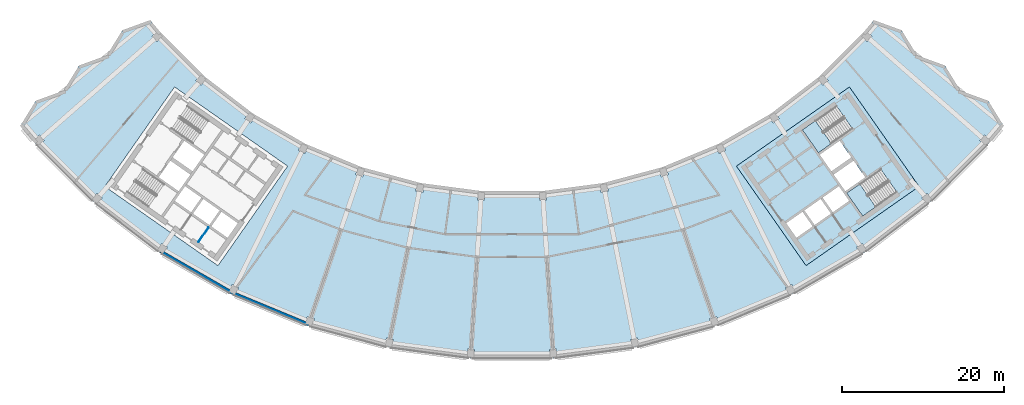
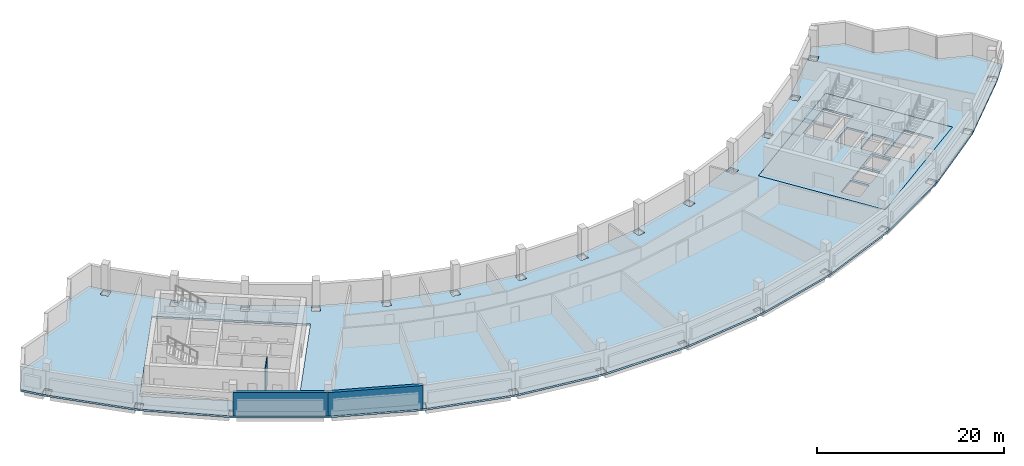
# One storey, part 2 of 12: 4 slabs, 3 walls, 2 elements without a shape of their own.
"""IFC4 building model written with IfcOpenShell, lengths in metres."""

from ifc_helpers import new_model, si_unit, direction, frame, frame_2d, origin, place, context, subcontext, project, spatial, polyline, rectangle, outline, extrude, material, layer, layer_set, type_object, element, aggregate, save


model = new_model("IFC4")

# Units and contexts
model_context = context("Model", 3, precision=1e-05, world=origin(), true_north=direction((0.0, 1.0)))
body_context = subcontext(model_context, "Body", "Model", "MODEL_VIEW")
ifc_project = project(units=[si_unit("LENGTHUNIT", "METRE"), si_unit("AREAUNIT", "SQUARE_METRE"), si_unit("VOLUMEUNIT", "CUBIC_METRE"), si_unit("PLANEANGLEUNIT", "RADIAN"), si_unit("MASSUNIT", "GRAM", prefix="KILO")], contexts=[model_context])

# Site, building, storey
site_placement = place(None, origin())
site = spatial("IfcSite", under=ifc_project, at=site_placement, CompositionType="ELEMENT")
building_placement = place(site_placement, origin())
building = spatial("IfcBuilding", under=site, at=building_placement, Name="Qamariyya Broadcast Tower", CompositionType="ELEMENT")
storey_placement = place(building_placement, frame((0.0, 0.0, 290.699951171875)))
storey = spatial("IfcBuildingStorey", under=building, at=storey_placement, Name="L70", CompositionType="ELEMENT", Elevation=290.699951171875)

# Slabs
ifc_material_1 = material(Name="Concrete C40/50", Category="concrete")
ifc_layer_1 = layer(ifc_material_1, 0.25)
ifc_layer_set_1 = layer_set([ifc_layer_1], Name="Core floor slab 250 mm Concrete C40/50")
slab_type_1 = type_object("IfcSlabType", Name="Core floor slab 250 mm Concrete C40/50", PredefinedType="FLOOR", material=ifc_layer_set_1)
slab_1_placement = place(storey_placement, frame((0.0, 0.0, -0.25)))
element("IfcSlab", 1, at=slab_1_placement, inside=storey, type_object=slab_type_1, Name="k-E-L70-slab", PredefinedType="FLOOR", context=body_context, shape_type="SweptSolid", body=[
    extrude(outline(polyline([(36.32373046875, -66.734375), (50.286376953125, -56.95751953125), (41.6826171875, -44.67041015625), (27.719970703125, -54.447021484375), (36.32373046875, -66.734375)]), holes=[polyline([(33.87353515625, -61.49169921875), (35.88037109375, -60.08642578125), (37.142333984375, -61.888427734375), (35.13525390625, -63.293701171875), (33.87353515625, -61.49169921875)]), polyline([(36.126220703125, -59.914306640625), (38.133056640625, -58.509033203125), (39.394775390625, -60.311279296875), (37.387939453125, -61.716552734375), (36.126220703125, -59.914306640625)]), polyline([(38.378662109375, -58.3369140625), (40.3857421875, -56.931640625), (41.6474609375, -58.73388671875), (39.640625, -60.13916015625), (38.378662109375, -58.3369140625)]), polyline([(39.742431640625, -55.489990234375), (42.199951171875, -53.769287109375), (43.6337890625, -55.817138671875), (41.17626953125, -57.537841796875), (39.742431640625, -55.489990234375)]), polyline([(39.45556640625, -55.080322265625), (41.9130859375, -53.359619140625), (40.47900390625, -51.311767578125), (38.021728515625, -53.032470703125), (39.45556640625, -55.080322265625)]), polyline([(40.082275390625, -47.01171875), (35.870849609375, -49.960693359375), (37.849609375, -52.78662109375), (42.06103515625, -49.837890625), (40.082275390625, -47.01171875)]), polyline([(45.559814453125, -54.834716796875), (41.348388671875, -57.783447265625), (43.3271484375, -60.609619140625), (47.538818359375, -57.66064453125), (45.559814453125, -54.834716796875)])]), origin(), (0.0, 0.0, 1.0), 0.25),
])
ifc_layer_2 = layer(ifc_material_1, 0.25)
ifc_layer_set_2 = layer_set([ifc_layer_2], Name="Post-tensioned floor slab 250 C40/50")
slab_type_2 = type_object("IfcSlabType", Name="Post-tensioned floor slab 250 C40/50", PredefinedType="FLOOR", material=ifc_layer_set_2)
slab_2_placement = place(storey_placement, frame((0.0, 0.0, -0.25)))
element("IfcSlab", 2, at=slab_2_placement, inside=storey, type_object=slab_type_2, Name="Floor slab S5 L70", PredefinedType="FLOOR", context=body_context, shape_type="SweptSolid", body=[
    extrude(outline(polyline([(-58.822509765625, -46.367431640625), (-60.746826171875, -49.482666015625), (-58.90673828125, -51.65966796875), (-51.65966796875, -58.90673828125), (-43.52880859375, -65.145751953125), (-34.6533203125, -70.27001953125), (-25.184814453125, -74.19189453125), (-15.285400390625, -76.844482421875), (-5.124267578125, -78.18212890625), (5.124267578125, -78.18212890625), (15.285400390625, -76.844482421875), (25.184814453125, -74.19189453125), (34.6533203125, -70.27001953125), (43.52880859375, -65.145751953125), (51.65966796875, -58.90673828125), (58.90673828125, -51.65966796875), (60.746826171875, -49.482666015625), (58.822509765625, -46.367431640625), (55.397216796875, -45.125), (53.471923828125, -42.009033203125), (50.04736328125, -40.76708984375), (48.12109375, -37.650634765625), (44.697509765625, -36.409423828125), (43.343505859375, -38.01123046875), (38.01123046875, -43.343505859375), (32.028564453125, -47.934326171875), (25.498046875, -51.704833984375), (18.531005859375, -54.590576171875), (11.2470703125, -56.542236328125), (3.7705078125, -57.526611328125), (-3.7705078125, -57.526611328125), (-11.2470703125, -56.542236328125), (-18.531005859375, -54.590576171875), (-25.498046875, -51.704833984375), (-32.028564453125, -47.934326171875), (-38.01123046875, -43.343505859375), (-43.343505859375, -38.01123046875), (-44.697509765625, -36.409423828125), (-48.12109375, -37.650634765625), (-50.04736328125, -40.76708984375), (-53.471923828125, -42.009033203125), (-55.397216796875, -45.125), (-58.822509765625, -46.367431640625)]), holes=[polyline([(-4.668701171875, -78.11181640625), (-5.56689453125, -78.052978515625), (-5.50146484375, -77.05517578125), (-4.603271484375, -77.114013671875), (-4.668701171875, -78.11181640625)]), polyline([(-15.707275390625, -76.65869140625), (-15.511962890625, -75.677978515625), (-14.62939453125, -75.853515625), (-14.824462890625, -76.834228515625), (-15.707275390625, -76.65869140625)]), polyline([(-25.578857421875, -73.95263671875), (-25.25732421875, -73.005615234375), (-24.405029296875, -73.294921875), (-24.7265625, -74.241943359375), (-25.578857421875, -73.95263671875)]), polyline([(-35.0126953125, -69.981201171875), (-34.5703125, -69.08447265625), (-33.76318359375, -69.482421875), (-34.20556640625, -70.37939453125), (-35.0126953125, -69.981201171875)]), polyline([(-43.847412109375, -64.8125), (-43.2919921875, -63.98095703125), (-42.543701171875, -64.48095703125), (-43.09912109375, -65.3125), (-43.847412109375, -64.8125)]), polyline([(-51.93212890625, -58.53466796875), (-51.272705078125, -57.782958984375), (-50.59619140625, -58.376220703125), (-51.25537109375, -59.128173828125), (-51.93212890625, -58.53466796875)]), polyline([(-4.29150390625, -58.5947265625), (-4.22607421875, -57.596923828125), (-3.327880859375, -57.65576171875), (-3.393310546875, -58.653564453125), (-4.29150390625, -58.5947265625)]), polyline([(-11.90283203125, -57.533447265625), (-11.707763671875, -56.552490234375), (-10.8251953125, -56.72802734375), (-11.020263671875, -57.708984375), (-11.90283203125, -57.533447265625)]), polyline([(-50.286376953125, -56.95751953125), (-41.6826171875, -44.67041015625), (-27.719970703125, -54.447021484375), (-36.32373046875, -66.734375), (-50.286376953125, -56.95751953125)]), polyline([(-19.310791015625, -55.487548828125), (-18.9892578125, -54.54052734375), (-18.136962890625, -54.829833984375), (-18.45849609375, -55.77685546875), (-19.310791015625, -55.487548828125)]), polyline([(-26.387939453125, -52.4921875), (-25.94580078125, -51.595458984375), (-25.138671875, -51.993408203125), (-25.580810546875, -52.890380859375), (-26.387939453125, -52.4921875)]), polyline([(-59.128173828125, -51.25537109375), (-58.376220703125, -50.59619140625), (-57.782958984375, -51.272705078125), (-58.53466796875, -51.93212890625), (-59.128173828125, -51.25537109375)]), polyline([(-33.013916015625, -48.598876953125), (-32.458251953125, -47.767333984375), (-31.7099609375, -48.267333984375), (-32.265625, -49.098876953125), (-33.013916015625, -48.598876953125)]), polyline([(-39.074951171875, -43.873779296875), (-38.41552734375, -43.1220703125), (-37.739013671875, -43.71533203125), (-38.398193359375, -44.46728515625), (-39.074951171875, -43.873779296875)]), polyline([(-44.46728515625, -38.398193359375), (-43.71533203125, -37.739013671875), (-43.1220703125, -38.41552734375), (-43.873779296875, -39.074951171875), (-44.46728515625, -38.398193359375)]), polyline([(5.56689453125, -78.052978515625), (4.668701171875, -78.11181640625), (4.603271484375, -77.114013671875), (5.50146484375, -77.05517578125), (5.56689453125, -78.052978515625)]), polyline([(14.824462890625, -76.834228515625), (14.62939453125, -75.853515625), (15.511962890625, -75.677978515625), (15.707275390625, -76.65869140625), (14.824462890625, -76.834228515625)]), polyline([(24.7265625, -74.241943359375), (24.405029296875, -73.294921875), (25.25732421875, -73.005615234375), (25.578857421875, -73.95263671875), (24.7265625, -74.241943359375)]), polyline([(34.20556640625, -70.37939453125), (33.76318359375, -69.482421875), (34.5703125, -69.08447265625), (35.0126953125, -69.981201171875), (34.20556640625, -70.37939453125)]), polyline([(43.09912109375, -65.3125), (42.543701171875, -64.48095703125), (43.2919921875, -63.98095703125), (43.847412109375, -64.8125), (43.09912109375, -65.3125)]), polyline([(51.25537109375, -59.128173828125), (50.59619140625, -58.376220703125), (51.272705078125, -57.782958984375), (51.93212890625, -58.53466796875), (51.25537109375, -59.128173828125)]), polyline([(3.393310546875, -58.653564453125), (3.327880859375, -57.65576171875), (4.22607421875, -57.596923828125), (4.29150390625, -58.5947265625), (3.393310546875, -58.653564453125)]), polyline([(11.020263671875, -57.708984375), (10.8251953125, -56.72802734375), (11.707763671875, -56.552490234375), (11.90283203125, -57.533447265625), (11.020263671875, -57.708984375)]), polyline([(36.32373046875, -66.734375), (27.719970703125, -54.447021484375), (41.6826171875, -44.67041015625), (50.286376953125, -56.95751953125), (36.32373046875, -66.734375)]), polyline([(18.45849609375, -55.77685546875), (18.136962890625, -54.829833984375), (18.9892578125, -54.54052734375), (19.310791015625, -55.487548828125), (18.45849609375, -55.77685546875)]), polyline([(25.580810546875, -52.890380859375), (25.138671875, -51.993408203125), (25.94580078125, -51.595458984375), (26.387939453125, -52.4921875), (25.580810546875, -52.890380859375)]), polyline([(58.53466796875, -51.93212890625), (57.782958984375, -51.272705078125), (58.376220703125, -50.59619140625), (59.128173828125, -51.25537109375), (58.53466796875, -51.93212890625)]), polyline([(32.265625, -49.098876953125), (31.7099609375, -48.267333984375), (32.458251953125, -47.767333984375), (33.013916015625, -48.598876953125), (32.265625, -49.098876953125)]), polyline([(38.398193359375, -44.46728515625), (37.739013671875, -43.71533203125), (38.41552734375, -43.1220703125), (39.074951171875, -43.873779296875), (38.398193359375, -44.46728515625)]), polyline([(43.873779296875, -39.074951171875), (43.1220703125, -38.41552734375), (43.71533203125, -37.739013671875), (44.46728515625, -38.398193359375), (43.873779296875, -39.074951171875)])]), origin(), (0.0, 0.0, 1.0), 0.25),
])

# Stair, slab
ifc_material_2 = material(Name="Concrete C50/60", Category="concrete")
stair_type = type_object("IfcStairType", Name="Exit stair 24 risers of 167 mm", PredefinedType="HALF_TURN_STAIR", material=ifc_material_2)
stair_1_placement = place(storey_placement, origin())
stair_1 = element("IfcStair", 3, at=stair_1_placement, inside=storey, type_object=stair_type, Name="L70 Stair E2", PredefinedType="HALF_TURN_STAIR")
ifc_layer_3 = layer(ifc_material_2, 0.199951171875)
ifc_layer_set_3 = layer_set([ifc_layer_3], Name="Stair landing")
slab_type_3 = type_object("IfcSlabType", Name="Stair landing", PredefinedType="LANDING", material=ifc_layer_set_3)
slab_3_placement = place(storey_placement, frame((0.0, 0.0, 1.800048828125)))
slab_3 = element("IfcSlab", 4, at=slab_3_placement, type_object=slab_type_3, Name="ST-E2 landing 1", PredefinedType="LANDING", context=body_context, shape_type="SweptSolid", body=[
    extrude(outline(polyline([(37.475830078125, -48.8369140625), (35.870849609375, -49.960693359375), (37.849609375, -52.78662109375), (39.45458984375, -51.662841796875), (37.475830078125, -48.8369140625)])), origin(), (0.0, 0.0, 1.0), 0.199951171875),
])
aggregate(stair_1, [slab_3])

stair_2_placement = place(storey_placement, origin())
stair_2 = element("IfcStair", 5, at=stair_2_placement, inside=storey, type_object=stair_type, Name="L70 Stair E1", PredefinedType="HALF_TURN_STAIR")
slab_4_placement = place(storey_placement, frame((0.0, 0.0, 1.800048828125)))
slab_4 = element("IfcSlab", 6, at=slab_4_placement, type_object=slab_type_3, Name="ST-E1 landing 1", PredefinedType="LANDING", context=body_context, shape_type="SweptSolid", body=[
    extrude(outline(polyline([(42.953369140625, -56.65966796875), (41.348388671875, -57.783447265625), (43.3271484375, -60.609619140625), (44.93212890625, -59.48583984375), (42.953369140625, -56.65966796875)])), origin(), (0.0, 0.0, 1.0), 0.199951171875),
])
aggregate(stair_2, [slab_4])

# Walls
ifc_material_3 = material(Name="Fire-rated gypsum shaft liner on steel studs", Category="steel")
ifc_layer_4 = layer(ifc_material_3, 0.10009765625)
ifc_layer_set_4 = layer_set([ifc_layer_4], Name="Riser wall 100 mm")
wall_type_1 = type_object("IfcWallType", Name="Riser wall 100 mm", PredefinedType="PLUMBINGWALL", material=ifc_layer_set_4)
wall_1_placement = place(storey_placement, frame((-37.47802734375, -62.01953125, 0.0), z_axis=(0.0, 0.0, 1.0), x_axis=(-0.573581496053, -0.819148501424, 0.0)))
element("IfcWall", 7, at=wall_1_placement, inside=storey, type_object=wall_type_1, Name="k-W-L70-SP265", PredefinedType="PLUMBINGWALL", context=body_context, shape_type="SweptSolid", body=[
    extrude(rectangle(XDim=2.2001953125, YDim=0.10009765625, at=frame_2d((1.10009765625, 0.0))), origin(), (0.0, 0.0, 1.0), 3.75),
])
ifc_material_4 = material(Name="Terracotta", Category="masonry")
ifc_layer_5 = layer(ifc_material_4, 0.39990234375)
ifc_layer_set_5 = layer_set([ifc_layer_5], Name="Solid terracotta louvred band wall 400")
wall_type_2 = type_object("IfcWallType", Name="Solid terracotta louvred band wall 400", PredefinedType="SOLIDWALL", material=ifc_layer_set_5)
wall_2_placement = place(storey_placement, frame((-43.37353515625, -65.00439453125, 0.0), z_axis=(0.0, 0.0, 1.0), x_axis=(0.866019679839, -0.500009914033, 0.0)))
element("IfcWall", 8, at=wall_2_placement, inside=storey, type_object=wall_type_2, Name="e-wl-L70-out30", PredefinedType="SOLIDWALL", context=body_context, shape_type="SweptSolid", body=[
    extrude(rectangle(XDim=10.120849609375, YDim=0.39990234375, at=frame_2d((5.060546875, 0.0))), origin(), (0.0, 0.0, 1.0), 3.050048828125),
])
wall_3_placement = place(storey_placement, frame((-34.587646484375, -70.08056640625, 0.0), z_axis=(0.0, 0.0, 1.0), x_axis=(0.923877211741, -0.382689035152, 0.0)))
element("IfcWall", 9, at=wall_3_placement, inside=storey, type_object=wall_type_2, Name="e-wl-L70-out40", PredefinedType="SOLIDWALL", context=body_context, shape_type="SweptSolid", body=[
    extrude(rectangle(XDim=10.2724609375, YDim=0.39990234375, at=frame_2d((5.13623046875, 0.0))), origin(), (0.0, 0.0, 1.0), 3.050048828125),
])

save(model, "model.ifc")
